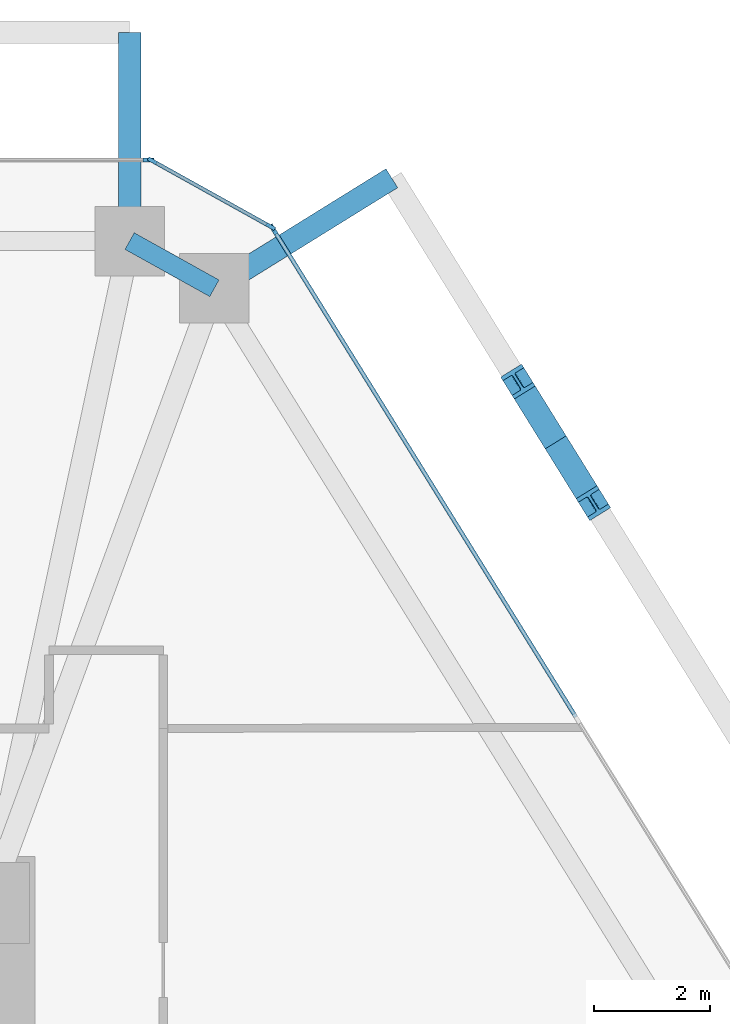
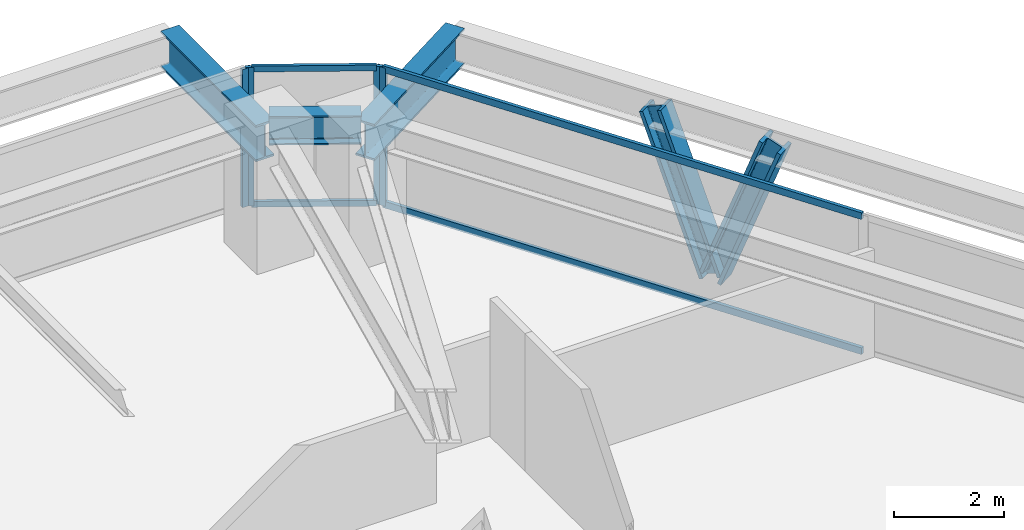
# One storey, part 8 of 13: 10 members, 3 beams, 3 elements without a shape of their own.
"""IFC4 building model written with IfcOpenShell, lengths in metres."""

from ifc_helpers import new_model, si_unit, direction, frame, origin, origin_2d, place, context, subcontext, project, spatial, rectangle, i_section, extrude, source, transform, mapped, material, layer, layer_set, material_profile, profile_set, type_object, type_shapes, element, aggregate, save


model = new_model("IFC4")

# Units and contexts
model_context = context("Model", 3, precision=1e-05, world=origin(), true_north=direction((0.0, 1.0)))
body_context = subcontext(model_context, "Body", "Model", "MODEL_VIEW")
ifc_project = project(units=[si_unit("LENGTHUNIT", "METRE"), si_unit("AREAUNIT", "SQUARE_METRE"), si_unit("VOLUMEUNIT", "CUBIC_METRE"), si_unit("PLANEANGLEUNIT", "RADIAN"), si_unit("MASSUNIT", "GRAM", prefix="KILO")], contexts=[model_context])

# Site, building, storey
site_placement = place(None, origin())
site = spatial("IfcSite", under=ifc_project, at=site_placement, CompositionType="ELEMENT")
building_placement = place(site_placement, origin())
building = spatial("IfcBuilding", under=site, at=building_placement, Name="Durnholm Broadcast Tower", CompositionType="ELEMENT")
storey_placement = place(building_placement, frame((0.0, 0.0, 100.800048828125)))
storey = spatial("IfcBuildingStorey", under=building, at=storey_placement, Name="L26", CompositionType="ELEMENT", Elevation=100.800048828125)

# Beams
ifc_material_1 = material(Name="Steel ASTM A992 Grade 50", Category="steel")
ifc_material_profile_1 = material_profile(ifc_material_1, i_section(OverallWidth=0.385009765625, OverallDepth=0.802978515625, WebThickness=0.023681640625, FlangeThickness=0.0419921875, FilletRadius=0.032958984375, at=origin_2d()), Name="W30X261")
ifc_profile_set_1 = profile_set([ifc_material_profile_1], Name="Steel ASTM A992 Grade 50")
beam_type_1 = type_object("IfcBeamType", Name="BM-EXO-TIE", PredefinedType="USERDEFINED", material=ifc_profile_set_1)
shared_shape_1 = source(origin(), body_context, "Body", "SweptSolid", [
    extrude(i_section(OverallWidth=0.385009765625, OverallDepth=0.802978515625, WebThickness=0.023681640625, FlangeThickness=0.0419921875, FilletRadius=0.032958984375, at=origin_2d()), origin(), (0.0, 0.0, 1.0), 3.4560546875),
])
beam_1_placement = place(storey_placement, frame((12.22998046875, 19.35888671875, 2.30859375), z_axis=(0.0, 1.0, 0.0), x_axis=(-1.0, 0.0, 0.0)))
element("IfcBeam", 1, at=beam_1_placement, inside=storey, type_object=beam_type_1, Name="L26 exoskeleton stand-off tie bracket F4.1", ObjectType="GIRDER", PredefinedType="USERDEFINED", context=body_context, shape_type="MappedRepresentation", body=[
    mapped(shared_shape_1, transform((0.0, 0.0, 0.0), x_axis=(1.0, 0.0, 0.0), y_axis=(0.0, 1.0, 0.0), z_axis=(0.0, 0.0, 1.0), scale=1.0)),
])
shared_shape_2 = source(origin(), body_context, "Body", "SweptSolid", [
    extrude(i_section(OverallWidth=0.385009765625, OverallDepth=0.802978515625, WebThickness=0.023681640625, FlangeThickness=0.0419921875, FilletRadius=0.032958984375, at=origin_2d()), origin(), (0.0, 0.0, 1.0), 3.455810546875),
])
type_shapes(beam_type_1, [shared_shape_1, shared_shape_2])
beam_2_placement = place(storey_placement, frame((13.814697265625, 18.477294921875, 2.30859375), z_axis=(0.849807128357, 0.527093772107, 0.0), x_axis=(-0.527093772107, 0.849807128357, 0.0)))
element("IfcBeam", 2, at=beam_2_placement, inside=storey, type_object=beam_type_1, Name="L26 exoskeleton stand-off tie bracket F3.2", ObjectType="GIRDER", PredefinedType="USERDEFINED", context=body_context, shape_type="MappedRepresentation", body=[
    mapped(shared_shape_2, transform((0.0, 0.0, 0.0), x_axis=(1.0, 0.0, 0.0), y_axis=(0.0, 1.0, 0.0), z_axis=(0.0, 0.0, 1.0), scale=1.0)),
])
ifc_material_profile_2 = material_profile(ifc_material_1, i_section(OverallWidth=0.3291015625, OverallDepth=0.635009765625, WebThickness=0.017822265625, FlangeThickness=0.031005859375, FilletRadius=0.02783203125, at=origin_2d()), Name="W24X162")
ifc_profile_set_2 = profile_set([ifc_material_profile_2], Name="Steel ASTM A992 Grade 50")
beam_type_2 = type_object("IfcBeamType", Name="STL-SP-W24X162", PredefinedType="SPANDREL", material=ifc_profile_set_2)
shared_shape_3 = source(origin(), body_context, "Body", "SweptSolid", [
    extrude(i_section(OverallWidth=0.3291015625, OverallDepth=0.635009765625, WebThickness=0.017822265625, FlangeThickness=0.031005859375, FilletRadius=0.02783203125, at=origin_2d()), origin(), (0.0, 0.0, 1.0), 1.67333984375),
])
type_shapes(beam_type_2, [shared_shape_3])
beam_3_placement = place(storey_placement, frame((12.22998046875, 19.215087890625, 2.7275390625), z_axis=(0.873799169188, -0.486286964586, 0.0), x_axis=(0.486286964586, 0.873799169188, 0.0)))
element("IfcBeam", 3, at=beam_3_placement, inside=storey, type_object=beam_type_2, Name="L26 perimeter spandrel girder 06", PredefinedType="SPANDREL", context=body_context, shape_type="MappedRepresentation", body=[
    mapped(shared_shape_3, transform((0.0, 0.0, 0.0), x_axis=(1.0, 0.0, 0.0), y_axis=(0.0, 1.0, 0.0), z_axis=(0.0, 0.0, 1.0), scale=1.0)),
])

# Members
ifc_material_2 = material(Name="Steel ASTM A913 Grade 65", Category="steel")
ifc_material_profile_3 = material_profile(ifc_material_2, i_section(OverallWidth=0.424072265625, OverallDepth=0.47412109375, WebThickness=0.047607421875, FlangeThickness=0.0771484375, FilletRadius=0.030517578125, at=origin_2d()), Name="W14X426")
ifc_profile_set_3 = profile_set([ifc_material_profile_3], Name="Steel ASTM A913 Grade 65")
member_type_1 = type_object("IfcMemberType", Name="STL-DG-W14X426", PredefinedType="BRACE", material=ifc_profile_set_3)
shared_shape_4 = source(origin(), body_context, "Body", "SweptSolid", [
    extrude(i_section(OverallWidth=0.424072265625, OverallDepth=0.47412109375, WebThickness=0.047607421875, FlangeThickness=0.0771484375, FilletRadius=0.030517578125, at=origin_2d()), origin(), (0.0, 0.0, 1.0), 3.523193359375),
])
member_1_placement = place(storey_placement, frame((19.576416015625, 15.74462890625, -0.991455078125), z_axis=(-0.184669768468, 0.297619758188, 0.936653381006), x_axis=(-0.849716575602, -0.52723973783, 0.0)))
element("IfcMember", 4, at=member_1_placement, inside=storey, type_object=member_type_1, Name="L26 stand-off diagrid brace F3.D2.2", PredefinedType="BRACE", context=body_context, shape_type="MappedRepresentation", body=[
    mapped(shared_shape_4, transform((0.0, 0.0, 0.0), x_axis=(1.0, 0.0, 0.0), y_axis=(0.0, 1.0, 0.0), z_axis=(0.0, 0.0, 1.0), scale=1.0)),
])
shared_shape_5 = source(origin(), body_context, "Body", "SweptSolid", [
    extrude(i_section(OverallWidth=0.424072265625, OverallDepth=0.47412109375, WebThickness=0.047607421875, FlangeThickness=0.0771484375, FilletRadius=0.030517578125, at=origin_2d()), origin(), (0.0, 0.0, 1.0), 3.52294921875),
])
type_shapes(member_type_1, [shared_shape_4, shared_shape_5])
member_2_placement = place(storey_placement, frame((19.576416015625, 15.74462890625, -0.991455078125), z_axis=(0.184539706302, -0.297564212865, 0.936696661689), x_axis=(0.849838868368, 0.527042595823, 0.0)))
element("IfcMember", 5, at=member_2_placement, inside=storey, type_object=member_type_1, Name="L26 stand-off diagrid brace F3.D2.1", PredefinedType="BRACE", context=body_context, shape_type="MappedRepresentation", body=[
    mapped(shared_shape_5, transform((0.0, 0.0, 0.0), x_axis=(1.0, 0.0, 0.0), y_axis=(0.0, 1.0, 0.0), z_axis=(0.0, 0.0, 1.0), scale=1.0)),
])

# Curtain wall, members
ifc_material_3 = material(Name="Aluminium and Solar Control IGU", Category="aluminium")
ifc_layer_1 = layer(ifc_material_3, 0.1650390625)
ifc_layer_set_1 = layer_set([ifc_layer_1], Name="Aluminium and Solar Control IGU")
curtain_wall_type_1 = type_object("IfcCurtainWallType", Name="CW-SYS-5", PredefinedType="NOTDEFINED", material=ifc_layer_set_1)
curtain_wall_1_placement = place(storey_placement, origin())
curtain_wall_1 = element("IfcCurtainWall", 6, at=curtain_wall_1_placement, inside=storey, type_object=curtain_wall_type_1, Name="L26 curtain wall CW-CORNER CW-L26-CRN-05", PredefinedType="NOTDEFINED")
ifc_material_4 = material(Name="Aluminium 6063-T6", Category="aluminium")
ifc_material_profile_4 = material_profile(ifc_material_4, rectangle(XDim=0.06494140625, YDim=0.1650390625, at=origin_2d()), Name="CWM65X165")
ifc_profile_set_4 = profile_set([ifc_material_profile_4], Name="Aluminium 6063-T6")
member_type_2 = type_object("IfcMemberType", Name="CW-SYS-5-MUL", PredefinedType="MULLION", material=ifc_profile_set_4)
shared_shape_6 = source(origin(), body_context, "Body", "SweptSolid", [
    extrude(rectangle(XDim=0.06494140625, YDim=0.1650390625, at=origin_2d()), origin(), (0.0, 0.0, 1.0), 3.06005859375),
])
type_shapes(member_type_2, [shared_shape_6])
member_3_placement = place(storey_placement, frame((12.62158203125, 20.59912109375, 0.0), z_axis=(0.0, 0.0, 1.0), x_axis=(0.486244224192, 0.873822953715, 0.0)))
member_3 = element("IfcMember", 7, at=member_3_placement, type_object=member_type_2, Name="CW-CORNER mullion 1", PredefinedType="MULLION", context=body_context, shape_type="MappedRepresentation", body=[
    mapped(shared_shape_6, transform((0.0, 0.0, 0.0), x_axis=(1.0, 0.0, 0.0), y_axis=(0.0, 1.0, 0.0), z_axis=(0.0, 0.0, 1.0), scale=1.0)),
])
member_4_placement = place(storey_placement, frame((14.662109375, 19.4638671875, 0.0), z_axis=(0.0, 0.0, 1.0), x_axis=(0.486244224192, 0.873822953715, 0.0)))
member_4 = element("IfcMember", 8, at=member_4_placement, type_object=member_type_2, Name="CW-CORNER mullion 2", PredefinedType="MULLION", context=body_context, shape_type="MappedRepresentation", body=[
    mapped(shared_shape_6, transform((0.0, 0.0, 0.0), x_axis=(1.0, 0.0, 0.0), y_axis=(0.0, 1.0, 0.0), z_axis=(0.0, 0.0, 1.0), scale=1.0)),
])

# Curtain wall, member
ifc_layer_2 = layer(ifc_material_3, 0.18994140625)
ifc_layer_set_2 = layer_set([ifc_layer_2], Name="Aluminium and Solar Control IGU")
curtain_wall_type_2 = type_object("IfcCurtainWallType", Name="CW-SYS-3", PredefinedType="NOTDEFINED", material=ifc_layer_set_2)
curtain_wall_2_placement = place(storey_placement, origin())
curtain_wall_2 = element("IfcCurtainWall", 9, at=curtain_wall_2_placement, inside=storey, type_object=curtain_wall_type_2, Name="L26 curtain wall CW-Z12-VIS CW-L26-F04", PredefinedType="NOTDEFINED")
ifc_material_profile_5 = material_profile(ifc_material_4, rectangle(XDim=0.070068359375, YDim=0.18994140625, at=origin_2d()), Name="CWM70X190")
ifc_profile_set_5 = profile_set([ifc_material_profile_5], Name="Aluminium 6063-T6")
member_type_3 = type_object("IfcMemberType", Name="CW-SYS-3-MUL", PredefinedType="MULLION", material=ifc_profile_set_5)
shared_shape_7 = source(origin(), body_context, "Body", "SweptSolid", [
    extrude(rectangle(XDim=0.070068359375, YDim=0.18994140625, at=origin_2d()), origin(), (0.0, 0.0, 1.0), 3.06005859375),
])
type_shapes(member_type_3, [shared_shape_7])
member_5_placement = place(storey_placement, frame((12.55810546875, 20.614990234375, 0.0), z_axis=(0.0, 0.0, 1.0), x_axis=(0.0, 1.0, 0.0)))
member_5 = element("IfcMember", 10, at=member_5_placement, type_object=member_type_3, Name="CW-Z12-VIS mullion 3", PredefinedType="MULLION", context=body_context, shape_type="MappedRepresentation", body=[
    mapped(shared_shape_7, transform((0.0, 0.0, 0.0), x_axis=(1.0, 0.0, 0.0), y_axis=(0.0, 1.0, 0.0), z_axis=(0.0, 0.0, 1.0), scale=1.0)),
])
aggregate(curtain_wall_2, [member_5])

curtain_wall_3_placement = place(storey_placement, origin())
curtain_wall_3 = element("IfcCurtainWall", 11, at=curtain_wall_3_placement, inside=storey, type_object=curtain_wall_type_2, Name="L26 curtain wall CW-Z12-VIS CW-L26-F06", PredefinedType="NOTDEFINED")
member_6_placement = place(storey_placement, frame((14.708740234375, 19.418212890625, 0.0), z_axis=(0.0, 0.0, 1.0), x_axis=(0.849799925229, 0.527105385176, 0.0)))
member_6 = element("IfcMember", 12, at=member_6_placement, type_object=member_type_3, Name="CW-Z12-VIS mullion 1", PredefinedType="MULLION", context=body_context, shape_type="MappedRepresentation", body=[
    mapped(shared_shape_7, transform((0.0, 0.0, 0.0), x_axis=(1.0, 0.0, 0.0), y_axis=(0.0, 1.0, 0.0), z_axis=(0.0, 0.0, 1.0), scale=1.0)),
])

# Member
ifc_material_profile_6 = material_profile(ifc_material_4, rectangle(XDim=0.06494140625, YDim=0.1298828125, at=origin_2d()), Name="CWT65X130")
ifc_profile_set_6 = profile_set([ifc_material_profile_6], Name="Aluminium 6063-T6")
member_type_4 = type_object("IfcMemberType", Name="CW-SYS-5-TRN", PredefinedType="USERDEFINED", material=ifc_profile_set_6)
shared_shape_8 = source(origin(), body_context, "Body", "SweptSolid", [
    extrude(rectangle(XDim=0.06494140625, YDim=0.1298828125, at=origin_2d()), origin(), (0.0, 0.0, 1.0), 2.270263671875),
])
type_shapes(member_type_4, [shared_shape_8])
member_7_placement = place(storey_placement, frame((12.64990234375, 20.58349609375, 0.032470703125), z_axis=(0.873786708897, -0.486309353555, 0.0), x_axis=(0.486309353555, 0.873786708897, 0.0)))
member_7 = element("IfcMember", 13, at=member_7_placement, type_object=member_type_4, Name="CW-CORNER transom 1.1", ObjectType="TRANSOM", PredefinedType="USERDEFINED", context=body_context, shape_type="MappedRepresentation", body=[
    mapped(shared_shape_8, transform((0.0, 0.0, 0.0), x_axis=(1.0, 0.0, 0.0), y_axis=(0.0, 1.0, 0.0), z_axis=(0.0, 0.0, 1.0), scale=1.0)),
])

member_8_placement = place(storey_placement, frame((12.64990234375, 20.58349609375, 3.02734375), z_axis=(0.873786708897, -0.486309353555, 0.0), x_axis=(0.486309353555, 0.873786708897, 0.0)))
member_8 = element("IfcMember", 14, at=member_8_placement, type_object=member_type_4, Name="CW-CORNER transom 1.2", ObjectType="TRANSOM", PredefinedType="USERDEFINED", context=body_context, shape_type="MappedRepresentation", body=[
    mapped(shared_shape_8, transform((0.0, 0.0, 0.0), x_axis=(1.0, 0.0, 0.0), y_axis=(0.0, 1.0, 0.0), z_axis=(0.0, 0.0, 1.0), scale=1.0)),
])

aggregate(curtain_wall_1, [member_3, member_4, member_7, member_8])

ifc_material_profile_7 = material_profile(ifc_material_4, rectangle(XDim=0.070068359375, YDim=0.14990234375, at=origin_2d()), Name="CWT70X150")
ifc_profile_set_7 = profile_set([ifc_material_profile_7], Name="Aluminium 6063-T6")
member_type_5 = type_object("IfcMemberType", Name="CW-SYS-3-TRN", PredefinedType="USERDEFINED", material=ifc_profile_set_7)
shared_shape_9 = source(origin(), body_context, "Body", "SweptSolid", [
    extrude(rectangle(XDim=0.070068359375, YDim=0.14990234375, at=origin_2d()), origin(), (0.0, 0.0, 1.0), 9.858642578125),
])
type_shapes(member_type_5, [shared_shape_9])
member_9_placement = place(storey_placement, frame((14.727294921875, 19.388427734375, 0.034912109375), z_axis=(0.527102081419, -0.849801974441, 0.0), x_axis=(0.849801974441, 0.527102081419, 0.0)))
member_9 = element("IfcMember", 15, at=member_9_placement, type_object=member_type_5, Name="CW-Z12-VIS transom 1.1", ObjectType="TRANSOM", PredefinedType="USERDEFINED", context=body_context, shape_type="MappedRepresentation", body=[
    mapped(shared_shape_9, transform((0.0, 0.0, 0.0), x_axis=(1.0, 0.0, 0.0), y_axis=(0.0, 1.0, 0.0), z_axis=(0.0, 0.0, 1.0), scale=1.0)),
])

member_10_placement = place(storey_placement, frame((14.727294921875, 19.388427734375, 3.02490234375), z_axis=(0.527102081419, -0.849801974441, 0.0), x_axis=(0.849801974441, 0.527102081419, 0.0)))
member_10 = element("IfcMember", 16, at=member_10_placement, type_object=member_type_5, Name="CW-Z12-VIS transom 1.2", ObjectType="TRANSOM", PredefinedType="USERDEFINED", context=body_context, shape_type="MappedRepresentation", body=[
    mapped(shared_shape_9, transform((0.0, 0.0, 0.0), x_axis=(1.0, 0.0, 0.0), y_axis=(0.0, 1.0, 0.0), z_axis=(0.0, 0.0, 1.0), scale=1.0)),
])

aggregate(curtain_wall_3, [member_6, member_9, member_10])

save(model, "model.ifc")
